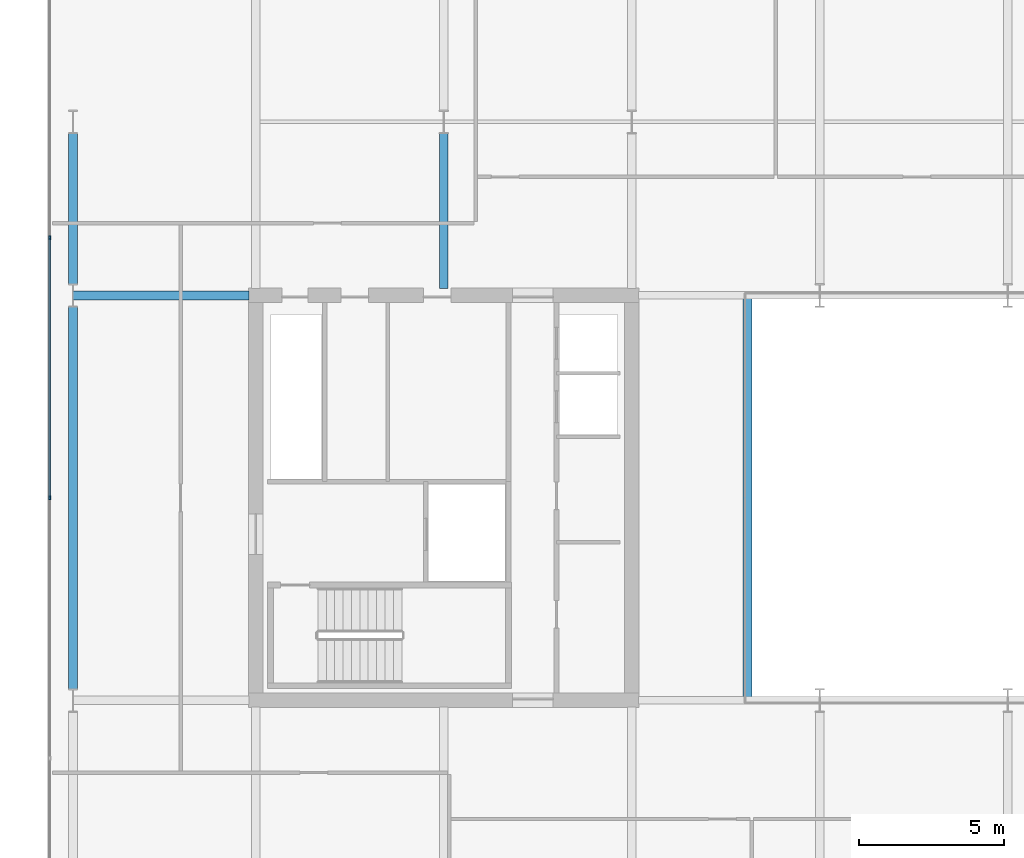
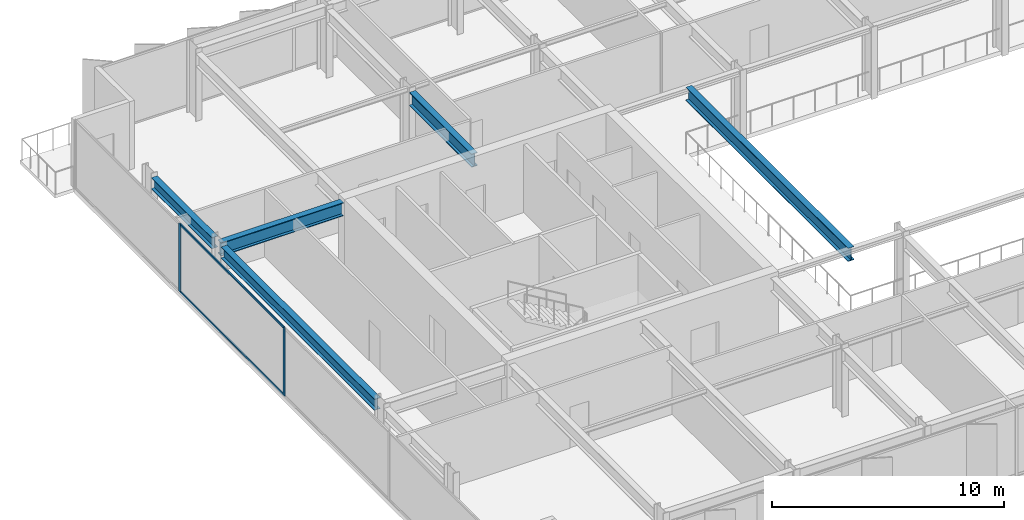
# One storey, part 5 of 23: 5 beams, 4 members, 1 element without a shape of its own.
"""IFC4 building model written with IfcOpenShell, lengths in metres."""

from ifc_helpers import new_model, si_unit, direction, frame, origin, origin_2d, place, context, subcontext, project, spatial, rectangle, i_section, extrude, material, layer, layer_set, material_profile, profile_set, type_object, element, aggregate, save


model = new_model("IFC4")

# Units and contexts
model_context = context("Model", 3, precision=1e-05, world=origin(), true_north=direction((0.0, 1.0)))
body_context = subcontext(model_context, "Body", "Model", "MODEL_VIEW")
ifc_project = project(units=[si_unit("LENGTHUNIT", "METRE"), si_unit("AREAUNIT", "SQUARE_METRE"), si_unit("VOLUMEUNIT", "CUBIC_METRE"), si_unit("PLANEANGLEUNIT", "RADIAN"), si_unit("MASSUNIT", "GRAM", prefix="KILO")], contexts=[model_context])

# Site, building, storey
site_placement = place(None, origin())
site = spatial("IfcSite", under=ifc_project, at=site_placement, CompositionType="ELEMENT")
building_placement = place(site_placement, origin())
building = spatial("IfcBuilding", under=site, at=building_placement, Name="Putna Gate Headquarters", CompositionType="ELEMENT")
storey_placement = place(building_placement, frame((0.0, 0.0, 210.0)))
storey = spatial("IfcBuildingStorey", under=building, at=storey_placement, Name="L52", CompositionType="ELEMENT", Elevation=210.0)

# Beams
ifc_material_1 = material(Name="Steel S355J2", Category="steel")
ifc_material_profile_1 = material_profile(ifc_material_1, i_section(OverallWidth=0.300048828125, OverallDepth=0.699951171875, WebThickness=0.01708984375, FlangeThickness=0.031982421875, at=origin_2d()), Name="Steel S355J2")
ifc_profile_set_1 = profile_set([ifc_material_profile_1], Name="Steel S355J2")
beam_type_1 = type_object("IfcBeamType", Name="BM-GIRD-B-HEB700", PredefinedType="USERDEFINED", material=ifc_profile_set_1)
beam_1_placement = place(storey_placement, frame((6.68603515625, 33.0, 3.22998046875), z_axis=(1.0, 0.0, 0.0), x_axis=(0.0, 1.0, 0.0)))
element("IfcBeam", 1, at=beam_1_placement, inside=storey, type_object=beam_type_1, Name="L52 West Wing Girder Y33", ObjectType="GIRDER", PredefinedType="USERDEFINED", context=body_context, shape_type="SweptSolid", body=[
    extrude(i_section(OverallWidth=0.300048828125, OverallDepth=0.699951171875, WebThickness=0.01708984375, FlangeThickness=0.031982421875, at=origin_2d()), origin(), (0.0, 0.0, 1.0), 6.078857421875),
])
beam_2_placement = place(storey_placement, frame((19.5, 33.235107421875, 3.22998046875), z_axis=(0.0, 1.0, 0.0), x_axis=(-1.0, 0.0, 0.0)))
element("IfcBeam", 2, at=beam_2_placement, inside=storey, type_object=beam_type_1, Name="L52 North Primary Girder X19-1", ObjectType="GIRDER", PredefinedType="USERDEFINED", context=body_context, shape_type="SweptSolid", body=[
    extrude(i_section(OverallWidth=0.300048828125, OverallDepth=0.699951171875, WebThickness=0.01708984375, FlangeThickness=0.031982421875, at=origin_2d()), origin(), (0.0, 0.0, 1.0), 5.369873046875),
])
beam_3_placement = place(storey_placement, frame((30.0, 19.010009765625, 3.22998046875), z_axis=(0.0, 1.0, 0.0), x_axis=(-1.0, 0.0, 0.0)))
element("IfcBeam", 3, at=beam_3_placement, inside=storey, type_object=beam_type_1, Name="L52 Atrium Trim Girder AW", ObjectType="GIRDER", PredefinedType="USERDEFINED", context=body_context, shape_type="SweptSolid", body=[
    extrude(i_section(OverallWidth=0.300048828125, OverallDepth=0.699951171875, WebThickness=0.01708984375, FlangeThickness=0.031982421875, at=origin_2d()), origin(), (0.0, 0.0, 1.0), 13.97998046875),
])
ifc_material_profile_2 = material_profile(ifc_material_1, i_section(OverallWidth=0.300048828125, OverallDepth=0.590087890625, WebThickness=0.012939453125, FlangeThickness=0.02490234375, at=origin_2d()), Name="Steel S355J2")
ifc_profile_set_2 = profile_set([ifc_material_profile_2], Name="Steel S355J2")
beam_type_2 = type_object("IfcBeamType", Name="BM-SPAN-Z4-HEA600", PredefinedType="SPANDREL", material=ifc_profile_set_2)
beam_4_placement = place(storey_placement, frame((6.679931640625, 19.39501953125, 3.284912109375), z_axis=(0.0, 1.0, 0.0), x_axis=(-1.0, 0.0, 0.0)))
element("IfcBeam", 4, at=beam_4_placement, inside=storey, type_object=beam_type_2, Name="L52 W End Spandrel 2", PredefinedType="SPANDREL", context=body_context, shape_type="SweptSolid", body=[
    extrude(i_section(OverallWidth=0.300048828125, OverallDepth=0.590087890625, WebThickness=0.012939453125, FlangeThickness=0.02490234375, at=origin_2d()), origin(), (0.0, 0.0, 1.0), 13.2099609375),
])
beam_5_placement = place(storey_placement, frame((6.679931640625, 33.39501953125, 3.284912109375), z_axis=(0.0, 1.0, 0.0), x_axis=(-1.0, 0.0, 0.0)))
element("IfcBeam", 5, at=beam_5_placement, inside=storey, type_object=beam_type_2, Name="L52 W End Spandrel 3", PredefinedType="SPANDREL", context=body_context, shape_type="SweptSolid", body=[
    extrude(i_section(OverallWidth=0.300048828125, OverallDepth=0.590087890625, WebThickness=0.012939453125, FlangeThickness=0.02490234375, at=origin_2d()), origin(), (0.0, 0.0, 1.0), 5.2099609375),
])

# Curtain wall, members
ifc_material_2 = material(Name="Anodised bronze aluminium curtain wall", Category="aluminium")
ifc_layer = layer(ifc_material_2, 0.139892578125)
ifc_layer_set = layer_set([ifc_layer], Name="Anodised bronze aluminium curtain wall")
curtain_wall_type = type_object("IfcCurtainWallType", Name="CW-SYS-Z4", PredefinedType="USERDEFINED", material=ifc_layer_set)
curtain_wall_placement = place(storey_placement, origin())
curtain_wall = element("IfcCurtainWall", 6, at=curtain_wall_placement, inside=storey, type_object=curtain_wall_type, Name="L52 West Curtain Wall", ObjectType="STICK CURTAIN WALL", PredefinedType="USERDEFINED")
ifc_material_3 = material(Name="Anodised bronze aluminium EN AW-6060", Category="aluminium")
ifc_material_profile_3 = material_profile(ifc_material_3, rectangle(XDim=0.06005859375, YDim=0.139892578125, at=origin_2d()), Name="Anodised bronze aluminium EN AW-6060")
ifc_profile_set_3 = profile_set([ifc_material_profile_3], Name="Anodised bronze aluminium EN AW-6060")
member_type_1 = type_object("IfcMemberType", Name="MULL-CWM-4", PredefinedType="MULLION", material=ifc_profile_set_3)
member_1_placement = place(storey_placement, frame((5.8798828125, 26.0, 0.0), z_axis=(0.0, 0.0, 1.0), x_axis=(-1.0, 0.0, 0.0)))
member_1 = element("IfcMember", 7, at=member_1_placement, type_object=member_type_1, Name="CWS-4 mullion 3", PredefinedType="MULLION", context=body_context, shape_type="SweptSolid", body=[
    extrude(rectangle(XDim=0.06005859375, YDim=0.139892578125, at=origin_2d()), origin(), (0.0, 0.0, 1.0), 3.580078125),
])
member_2_placement = place(storey_placement, frame((5.8798828125, 35.0, 0.0), z_axis=(0.0, 0.0, 1.0), x_axis=(-1.0, 0.0, 0.0)))
member_2 = element("IfcMember", 8, at=member_2_placement, type_object=member_type_1, Name="CWS-4 mullion 4", PredefinedType="MULLION", context=body_context, shape_type="SweptSolid", body=[
    extrude(rectangle(XDim=0.06005859375, YDim=0.139892578125, at=origin_2d()), origin(), (0.0, 0.0, 1.0), 3.580078125),
])
ifc_material_profile_4 = material_profile(ifc_material_3, rectangle(XDim=0.06005859375, YDim=0.10009765625, at=origin_2d()), Name="Anodised bronze aluminium EN AW-6060")
ifc_profile_set_4 = profile_set([ifc_material_profile_4], Name="Anodised bronze aluminium EN AW-6060")
member_type_2 = type_object("IfcMemberType", Name="TRAN-CWT-4", PredefinedType="USERDEFINED", material=ifc_profile_set_4)
member_3_placement = place(storey_placement, frame((5.8798828125, 26.030029296875, 0.030029296875), z_axis=(0.0, 1.0, 0.0), x_axis=(-1.0, 0.0, 0.0)))
member_3 = element("IfcMember", 9, at=member_3_placement, type_object=member_type_2, Name="CWS-4 transom 3.1", ObjectType="TRANSOM", PredefinedType="USERDEFINED", context=body_context, shape_type="SweptSolid", body=[
    extrude(rectangle(XDim=0.06005859375, YDim=0.10009765625, at=origin_2d()), origin(), (0.0, 0.0, 1.0), 8.93994140625),
])
member_4_placement = place(storey_placement, frame((5.8798828125, 26.030029296875, 3.550048828125), z_axis=(0.0, 1.0, 0.0), x_axis=(-1.0, 0.0, 0.0)))
member_4 = element("IfcMember", 10, at=member_4_placement, type_object=member_type_2, Name="CWS-4 transom 3.2", ObjectType="TRANSOM", PredefinedType="USERDEFINED", context=body_context, shape_type="SweptSolid", body=[
    extrude(rectangle(XDim=0.06005859375, YDim=0.10009765625, at=origin_2d()), origin(), (0.0, 0.0, 1.0), 8.93994140625),
])
aggregate(curtain_wall, [member_1, member_2, member_3, member_4])

save(model, "model.ifc")
